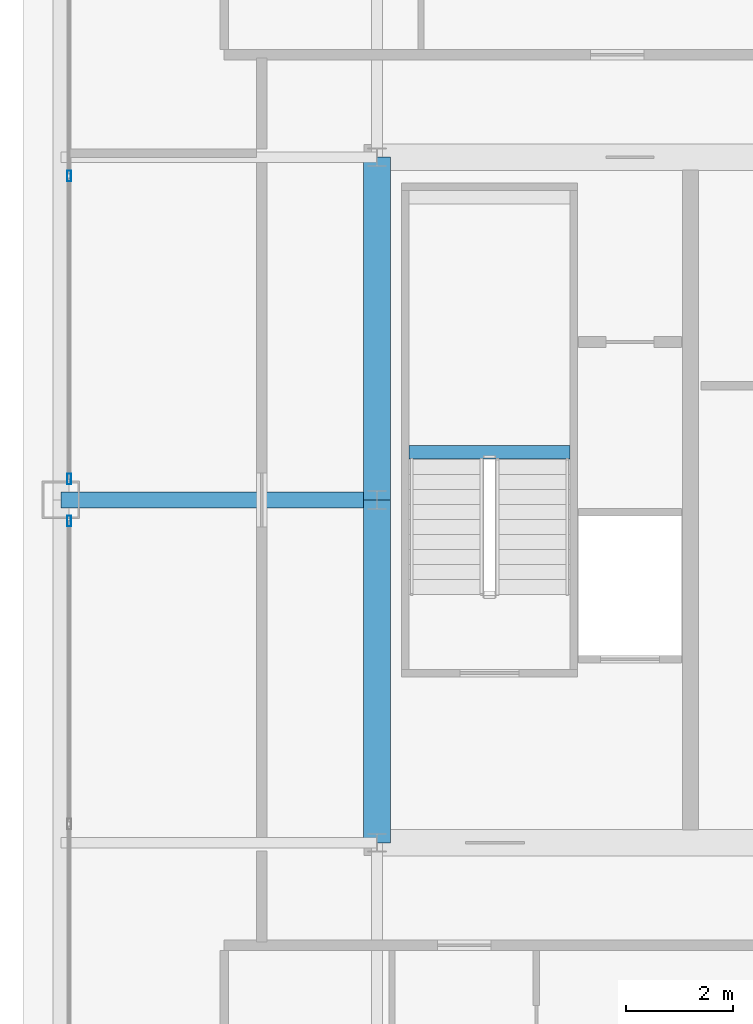
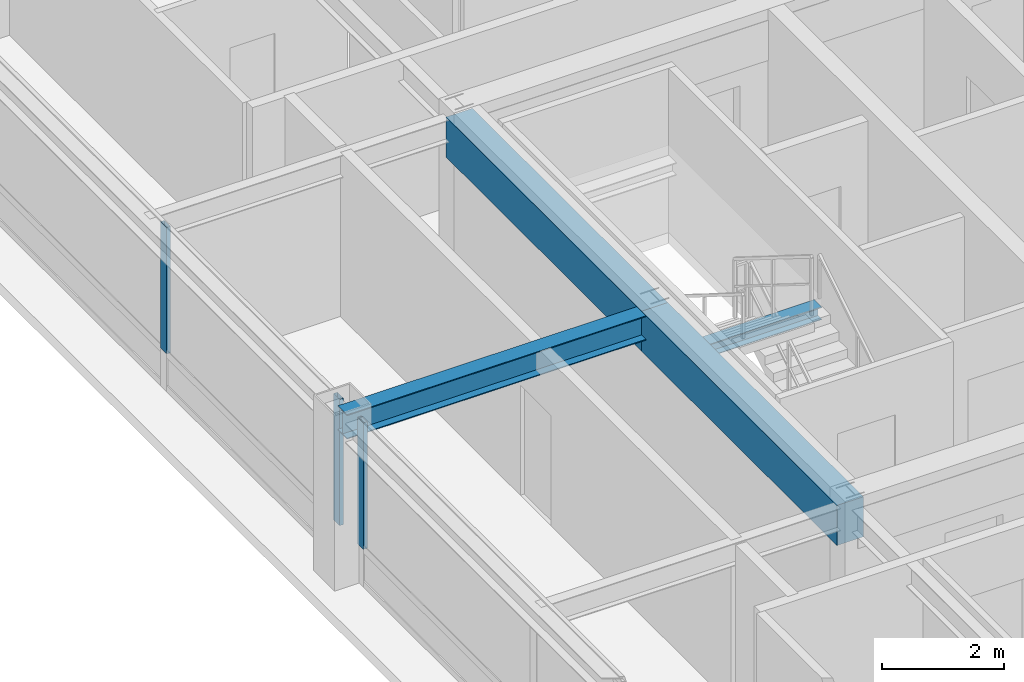
# One storey, part 11 of 35: 4 beams, 3 members, 2 elements without a shape of their own.
"""IFC4 building model written with IfcOpenShell, lengths in metres."""

from ifc_helpers import new_model, si_unit, direction, frame, origin, origin_2d, place, context, subcontext, project, spatial, rectangle, hollow_rectangle, i_section, extrude, source, transform, mapped, material, layer, layer_set, material_profile, profile_set, type_object, element, aggregate, save


model = new_model("IFC4")

# Units and contexts
model_context = context("Model", 3, precision=1e-05, world=origin(), true_north=direction((0.0, 1.0)))
body_context = subcontext(model_context, "Body", "Model", "MODEL_VIEW")
ifc_project = project(units=[si_unit("LENGTHUNIT", "METRE"), si_unit("AREAUNIT", "SQUARE_METRE"), si_unit("VOLUMEUNIT", "CUBIC_METRE"), si_unit("PLANEANGLEUNIT", "RADIAN"), si_unit("MASSUNIT", "GRAM", prefix="KILO"), si_unit("THERMODYNAMICTEMPERATUREUNIT", "KELVIN"), si_unit("POWERUNIT", "WATT")], contexts=[model_context])

# Site, building, storey
site_placement = place(None, origin())
site = spatial("IfcSite", under=ifc_project, at=site_placement, CompositionType="ELEMENT")
building_placement = place(site_placement, origin())
building = spatial("IfcBuilding", under=site, at=building_placement, Name="Yuzanri Waterfront Tower", CompositionType="ELEMENT")
storey_placement = place(building_placement, frame((0.0, 0.0, 311.199951171875)))
storey = spatial("IfcBuildingStorey", under=building, at=storey_placement, Name="L83", CompositionType="ELEMENT", Elevation=311.199951171875)

# Beams
ifc_material_1 = material(Name="Concrete C50", Category="concrete")
ifc_material_profile_1 = material_profile(ifc_material_1, rectangle(XDim=0.5, YDim=0.800048828125, at=origin_2d()), Name="RC 500x800")
ifc_profile_set_1 = profile_set([ifc_material_profile_1], Name="Concrete C50")
beam_type_1 = type_object("IfcBeamType", Name="Core Coupling Lintel Concrete C50 500x800", PredefinedType="LINTEL", material=ifc_profile_set_1)
shared_shape_1 = source(origin(), body_context, "Body", "SweptSolid", [
    extrude(rectangle(XDim=0.5, YDim=0.800048828125, at=origin_2d()), origin(), (0.0, 0.0, 1.0), 6.400146484375),
])
beam_1_placement = place(storey_placement, frame((23.800048828125, 19.39990234375, 2.880126953125), z_axis=(0.0, 1.0, 0.0), x_axis=(-1.0, 0.0, 0.0)))
element("IfcBeam", 1, at=beam_1_placement, inside=storey, type_object=beam_type_1, Name="L83 Core Tie Beam CW1", PredefinedType="LINTEL", context=body_context, shape_type="MappedRepresentation", body=[
    mapped(shared_shape_1, transform((0.0, 0.0, 0.0), scale=1.0)),
])
shared_shape_2 = source(origin(), body_context, "Body", "SweptSolid", [
    extrude(rectangle(XDim=0.5, YDim=0.800048828125, at=origin_2d()), origin(), (0.0, 0.0, 1.0), 6.39990234375),
])
beam_2_placement = place(storey_placement, frame((23.800048828125, 25.800048828125, 2.880126953125), z_axis=(0.0, 1.0, 0.0), x_axis=(-1.0, 0.0, 0.0)))
element("IfcBeam", 2, at=beam_2_placement, inside=storey, type_object=beam_type_1, Name="L83 Core Tie Beam CW2", PredefinedType="LINTEL", context=body_context, shape_type="MappedRepresentation", body=[
    mapped(shared_shape_2, transform((0.0, 0.0, 0.0), scale=1.0)),
])
ifc_material_2 = material(Name="Steel Q355B", Category="steel")
ifc_material_profile_2 = material_profile(ifc_material_2, i_section(OverallWidth=0.300048828125, OverallDepth=0.488037109375, WebThickness=0.010986328125, FlangeThickness=0.01806640625, at=origin_2d()), Name="HM 488x300x11x18")
ifc_profile_set_2 = profile_set([ifc_material_profile_2], Name="Steel Q355B")
beam_type_2 = type_object("IfcBeamType", Name="Primary Floor Girder Q355B HM 488x300", PredefinedType="BEAM", material=ifc_profile_set_2)
shared_shape_3 = source(origin(), body_context, "Body", "SweptSolid", [
    extrude(i_section(OverallWidth=0.300048828125, OverallDepth=0.488037109375, WebThickness=0.010986328125, FlangeThickness=0.01806640625, at=origin_2d()), origin(), (0.0, 0.0, 1.0), 5.900146484375),
])
beam_3_placement = place(storey_placement, frame((23.800048828125, 25.800048828125, 3.0361328125), z_axis=(-1.0, 0.0, 0.0), x_axis=(0.0, -1.0, 0.0)))
element("IfcBeam", 3, at=beam_3_placement, inside=storey, type_object=beam_type_2, Name="L83 West Grid Girder", PredefinedType="BEAM", context=body_context, shape_type="MappedRepresentation", body=[
    mapped(shared_shape_3, transform((0.0, 0.0, 0.0), scale=1.0)),
])

# Curtain wall, member
ifc_material_3 = material(Name="Anodized Architectural Bronze", Category="metal")
ifc_layer = layer(ifc_material_3, 0.159912109375)
ifc_layer_set = layer_set([ifc_layer], Name="Anodized Architectural Bronze")
curtain_wall_type = type_object("IfcCurtainWallType", Name="Anodized Bronze High-Rise Penthouse High-Wind Unitized Curtain Wall 6900", PredefinedType="NOTDEFINED", material=ifc_layer_set)
curtain_wall_1_placement = place(storey_placement, origin())
curtain_wall_1 = element("IfcCurtainWall", 4, at=curtain_wall_1_placement, inside=storey, type_object=curtain_wall_type, Name="L83 Curtain Wall CW-L83-WL", PredefinedType="NOTDEFINED")
ifc_material_4 = material(Name="Anodized Architectural Bronze", Category="metal")
ifc_material_profile_3 = material_profile(ifc_material_4, hollow_rectangle(XDim=0.074951171875, YDim=0.199951171875, WallThickness=0.00390625, at=origin_2d()), Name="CWM 75x200")
ifc_profile_set_3 = profile_set([ifc_material_profile_3], Name="Anodized Architectural Bronze")
member_type = type_object("IfcMemberType", Name="Anodized Bronze Primary Curtain-Wall Mullion 75x200", PredefinedType="MULLION", material=ifc_profile_set_3)
shared_shape_4 = source(origin(), body_context, "Body", "SweptSolid", [
    extrude(hollow_rectangle(XDim=0.074951171875, YDim=0.199951171875, WallThickness=0.00390625, at=origin_2d()), origin(), (0.0, 0.0, 1.0), 2.52392578125),
])
member_1_placement = place(storey_placement, frame((18.050048828125, 25.409912109375, 0.756103515625), z_axis=(0.0, 0.0, 1.0), x_axis=(1.0, 0.0, 0.0)))
member_1 = element("IfcMember", 5, at=member_1_placement, type_object=member_type, Name="CW-L83-WL Upper Mullion 02", PredefinedType="MULLION", context=body_context, shape_type="MappedRepresentation", body=[
    mapped(shared_shape_4, transform((0.0, 0.0, 0.0), scale=1.0)),
])
aggregate(curtain_wall_1, [member_1])

# Curtain wall, members
curtain_wall_2_placement = place(storey_placement, origin())
curtain_wall_2 = element("IfcCurtainWall", 6, at=curtain_wall_2_placement, inside=storey, type_object=curtain_wall_type, Name="L83 Curtain Wall CW-L83-WR", PredefinedType="NOTDEFINED")
member_2_placement = place(storey_placement, frame((18.050048828125, 26.18994140625, 0.756103515625), z_axis=(0.0, 0.0, 1.0), x_axis=(1.0, 0.0, 0.0)))
member_2 = element("IfcMember", 7, at=member_2_placement, type_object=member_type, Name="CW-L83-WR Upper Mullion 00", PredefinedType="MULLION", context=body_context, shape_type="MappedRepresentation", body=[
    mapped(shared_shape_4, transform((0.0, 0.0, 0.0), scale=1.0)),
])
member_3_placement = place(storey_placement, frame((18.050048828125, 31.85009765625, 0.756103515625), z_axis=(0.0, 0.0, 1.0), x_axis=(1.0, 0.0, 0.0)))
member_3 = element("IfcMember", 8, at=member_3_placement, type_object=member_type, Name="CW-L83-WR Upper Mullion 01", PredefinedType="MULLION", context=body_context, shape_type="MappedRepresentation", body=[
    mapped(shared_shape_4, transform((0.0, 0.0, 0.0), scale=1.0)),
])
aggregate(curtain_wall_2, [member_2, member_3])

# Beam
ifc_material_5 = material(Name="Steel Q355B", Category="steel")
ifc_material_profile_4 = material_profile(ifc_material_5, i_section(OverallWidth=0.25, OverallDepth=0.25, WebThickness=0.009033203125, FlangeThickness=0.013916015625, at=origin_2d()), Name="HW 250x250x9x14")
ifc_profile_set_4 = profile_set([ifc_material_profile_4], Name="Steel Q355B")
beam_type_3 = type_object("IfcBeamType", Name="Stair Landing Support Beam Q355B HW 250x250", PredefinedType="BEAM", material=ifc_profile_set_4)
shared_shape_5 = source(origin(), body_context, "Body", "SweptSolid", [
    extrude(i_section(OverallWidth=0.25, OverallDepth=0.25, WebThickness=0.009033203125, FlangeThickness=0.013916015625, at=origin_2d()), origin(), (0.0, 0.0, 1.0), 3.0),
])
beam_4_placement = place(storey_placement, frame((24.39990234375, 26.68994140625, 1.425048828125), z_axis=(1.0, 0.0, 0.0), x_axis=(0.0, 1.0, 0.0)))
element("IfcBeam", 9, at=beam_4_placement, inside=storey, type_object=beam_type_3, Name="L83 Stair Landing Support Beam ST-01-L83-L1-1", PredefinedType="BEAM", context=body_context, shape_type="MappedRepresentation", body=[
    mapped(shared_shape_5, transform((0.0, 0.0, 0.0), scale=1.0)),
])

save(model, "model.ifc")
